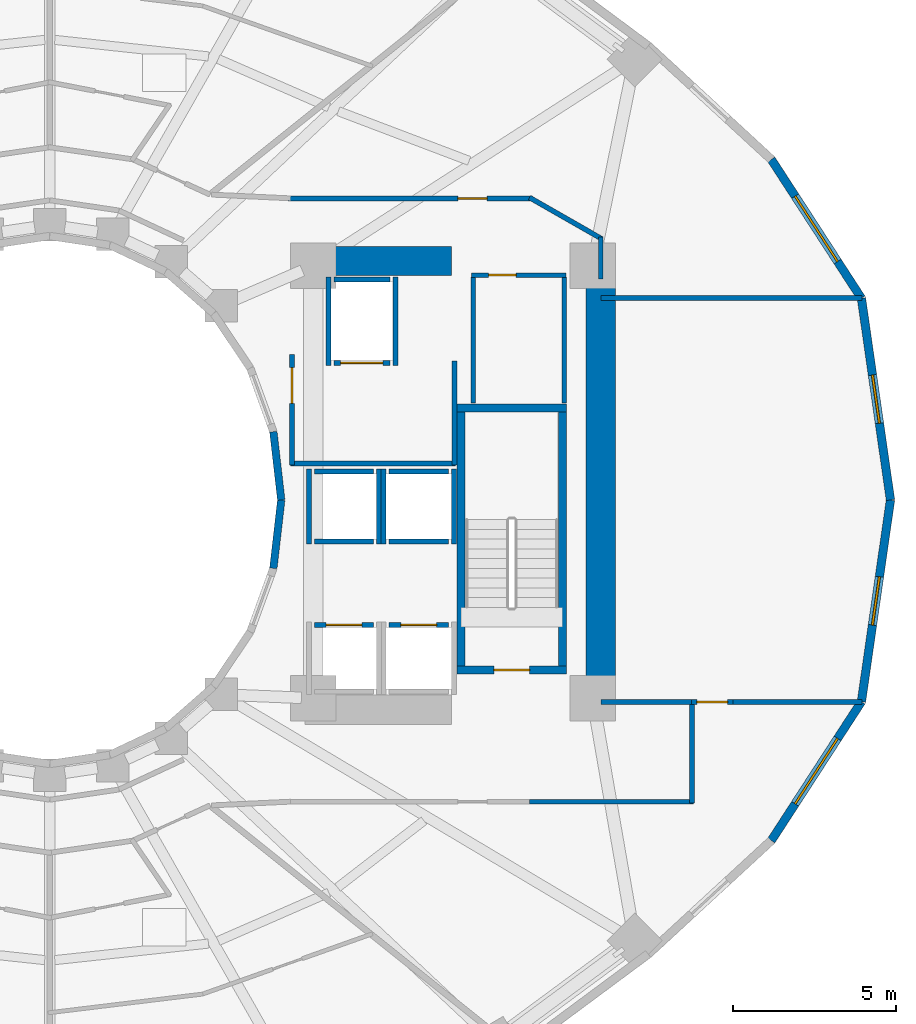
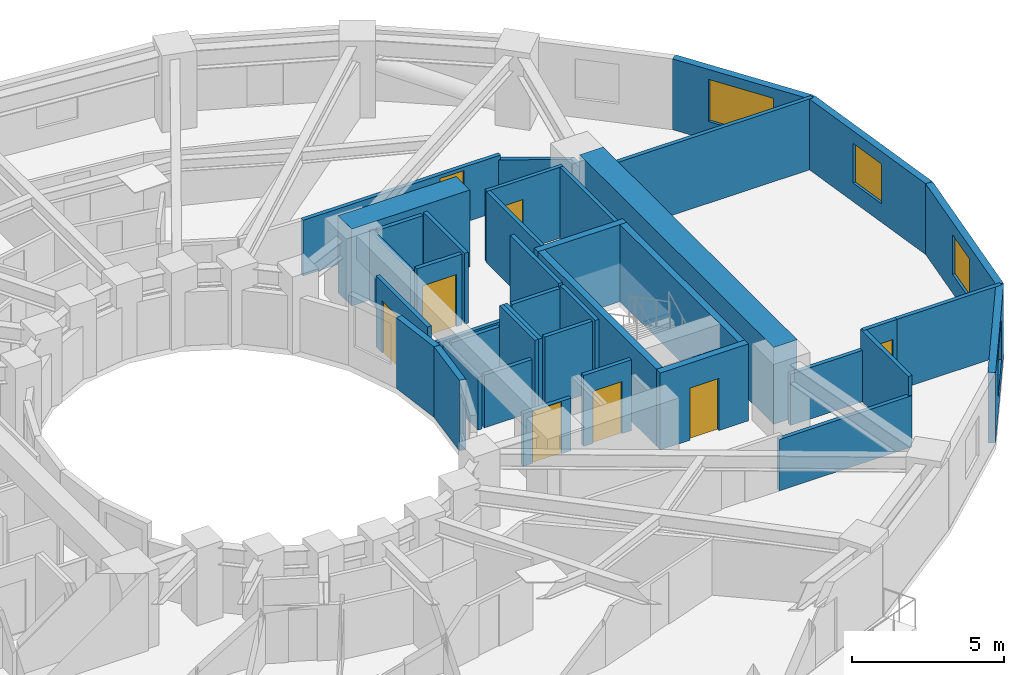
# One storey, part 6 of 10: 41 walls, 8 doors, 4 windows, 12 openings.
"""IFC4 building model written with IfcOpenShell, lengths in metres."""

from ifc_helpers import new_model, si_unit, direction, frame, frame_2d, origin, place, context, subcontext, project, spatial, rectangle, extrude, material, layer, layer_set, type_object, element, fill, save


model = new_model("IFC4")

# Units and contexts
model_context = context("Model", 3, precision=1e-05, world=origin(), true_north=direction((0.0, 1.0)))
body_context = subcontext(model_context, "Body", "Model", "MODEL_VIEW")
ifc_project = project(units=[si_unit("LENGTHUNIT", "METRE"), si_unit("AREAUNIT", "SQUARE_METRE"), si_unit("VOLUMEUNIT", "CUBIC_METRE"), si_unit("PLANEANGLEUNIT", "RADIAN"), si_unit("MASSUNIT", "GRAM", prefix="KILO")], contexts=[model_context])

# Site, building, storey
site_placement = place(None, origin())
site = spatial("IfcSite", under=ifc_project, at=site_placement, CompositionType="ELEMENT")
building_placement = place(site_placement, origin())
building = spatial("IfcBuilding", under=site, at=building_placement, Name="Solvane Sanctuary Tower", CompositionType="ELEMENT")
storey_placement = place(building_placement, frame((0.0, 0.0, 30.699951171875)))
storey = spatial("IfcBuildingStorey", under=building, at=storey_placement, Name="L08", CompositionType="ELEMENT", Elevation=30.699951171875)

# Walls
ifc_material_1 = material(Name="Concrete C70/85", Category="concrete")
ifc_layer_1 = layer(ifc_material_1, 0.89990234375, Name="Concrete C70/85")
ifc_layer_set_1 = layer_set([ifc_layer_1], Name="Concrete C70/85")
wall_type_1 = type_object("IfcWallType", Name="Wall W-CORE-900", PredefinedType="SHEAR", material=ifc_layer_set_1)
wall_1_placement = place(storey_placement, frame((48.949951171875, 17.050048828125, 0.0), z_axis=(0.0, 0.0, 1.0), x_axis=(0.0, 1.0, 0.0)))
element("IfcWall", 1, at=wall_1_placement, inside=storey, type_object=wall_type_1, Name="L08 Core Shear Wall EC-E", PredefinedType="SHEAR", context=body_context, shape_type="SweptSolid", body=[
    extrude(rectangle(XDim=12.800048828125, YDim=0.89990234375, at=frame_2d((6.39990234375, 0.0))), origin(), (0.0, 0.0, 1.0), 3.10009765625),
])
wall_2_placement = place(storey_placement, frame((39.85009765625, 30.35009765625, 0.0), z_axis=(0.0, 0.0, 1.0), x_axis=(1.0, 0.0, 0.0)))
element("IfcWall", 2, at=wall_2_placement, inside=storey, type_object=wall_type_1, Name="L08 Core Shear Wall EC-N", PredefinedType="SHEAR", context=body_context, shape_type="SweptSolid", body=[
    extrude(rectangle(XDim=4.5, YDim=0.89990234375, at=frame_2d((2.25, 0.0))), origin(), (0.0, 0.0, 1.0), 3.10009765625),
])
ifc_material_2 = material(Name="Acoustic Gypsum Partition Board")
ifc_layer_2 = layer(ifc_material_2, 0.14990234375, Name="Acoustic Gypsum Partition Board")
ifc_layer_set_2 = layer_set([ifc_layer_2], Name="Acoustic Gypsum Partition Board")
wall_type_2 = type_object("IfcWallType", Name="Wall W-CORR-150", PredefinedType="PARTITIONING", material=ifc_layer_set_2)
wall_3_placement = place(storey_placement, frame((39.39990234375, 24.1201171875, 0.0), z_axis=(0.0, 0.0, 1.0), x_axis=(1.0, 0.0, 0.0)))
element("IfcWall", 3, at=wall_3_placement, inside=storey, type_object=wall_type_2, Name="L08 East Firefighting Lobby South Wall", PredefinedType="PARTITIONING", context=body_context, shape_type="SweptSolid", body=[
    extrude(rectangle(XDim=5.080078125, YDim=0.14990234375, at=frame_2d((2.5400390625, 0.0))), origin(), (0.0, 0.0, 1.0), 2.1201171875),
])
wall_4_placement = place(storey_placement, frame((44.449951171875, 24.080078125, 0.0), z_axis=(0.0, 0.0, 1.0), x_axis=(0.0, 1.0, 0.0)))
element("IfcWall", 4, at=wall_4_placement, inside=storey, type_object=wall_type_2, Name="L08 East Firefighting Lobby East Wall", PredefinedType="PARTITIONING", context=body_context, shape_type="SweptSolid", body=[
    extrude(rectangle(XDim=3.199951171875, YDim=0.14990234375, at=frame_2d((1.60009765625, 0.0))), origin(), (0.0, 0.0, 1.0), 2.85498046875),
])

# Wall, opening, door
wall_5_placement = place(storey_placement, frame((39.449951171875, 24.080078125, 0.0), z_axis=(0.0, 0.0, 1.0), x_axis=(0.0, 1.0, 0.0)))
wall_5 = element("IfcWall", 5, at=wall_5_placement, inside=storey, type_object=wall_type_2, Name="L08 East Firefighting Lobby West Wall", PredefinedType="PARTITIONING", context=body_context, shape_type="SweptSolid", body=[
    extrude(rectangle(XDim=3.39990234375, YDim=0.14990234375, at=frame_2d((1.699951171875, 0.0))), origin(), (0.0, 0.0, 1.0), 2.85498046875),
])
opening_1_placement = place(wall_5_placement, frame((1.893798828125, 0.0, 0.0)))
opening_1 = element("IfcOpeningElement", 6, at=opening_1_placement, cuts=wall_5, Name="Opening D-L08-09", PredefinedType="OPENING", context=body_context, shape_type="SweptSolid", body=[
    extrude(rectangle(XDim=1.10009765625, YDim=2.10009765625, at=frame_2d((0.550048828125, 1.050048828125))), frame((0.0, 0.0849609375, 0.0), z_axis=(0.0, -1.0, 0.0), x_axis=(1.0, 0.0, 0.0)), (0.0, 0.0, 1.0), 0.169921875),
])
ifc_material_3 = material(Name="Architectural Stainless Steel 316", Category="steel")
door_type_1 = type_object("IfcDoorType", Name="Door D-FFL", OperationType="NOTDEFINED", PredefinedType="DOOR", material=ifc_material_3)
door_1_placement = place(opening_1_placement, origin())
door_1 = element("IfcDoor", 7, at=door_1_placement, inside=storey, type_object=door_type_1, Name="L08 East Firefighting Lobby Fire Door", OperationType="SINGLE_SWING_LEFT", OverallHeight=2.10009765625, OverallWidth=1.10009765625, PredefinedType="DOOR", context=body_context, shape_type="SweptSolid", body=[
    extrude(rectangle(XDim=1.10009765625, YDim=2.10009765625, at=frame_2d((0.550048828125, 1.050048828125))), frame((0.0, 0.02490234375, 0.0), z_axis=(0.0, -1.0, 0.0), x_axis=(1.0, 0.0, 0.0)), (0.0, 0.0, 1.0), 0.050048828125),
])
fill(opening_1, door_1)

# Wall
wall_6_placement = place(storey_placement, frame((48.949951171875, 16.788330078125, 0.0), z_axis=(0.0, 0.0, 1.0), x_axis=(1.0, 0.0, 0.0)))
element("IfcWall", 8, at=wall_6_placement, inside=storey, type_object=wall_type_2, Name="L08 East Shoulder South Wall", PredefinedType="PARTITIONING", context=body_context, shape_type="SweptSolid", body=[
    extrude(rectangle(XDim=2.79296875, YDim=0.14990234375, at=frame_2d((1.396484375, 0.0))), origin(), (0.0, 0.0, 1.0), 2.069091796875),
])

# Wall, opening, door
wall_7_placement = place(storey_placement, frame((51.742919921875, 16.788330078125, 0.0), z_axis=(0.0, 0.0, 1.0), x_axis=(1.0, 0.0, 0.0)))
wall_7 = element("IfcWall", 9, at=wall_7_placement, inside=storey, type_object=wall_type_2, Name="L08 East Shoulder South Wall", PredefinedType="PARTITIONING", context=body_context, shape_type="SweptSolid", body=[
    extrude(rectangle(XDim=1.27001953125, YDim=0.14990234375, at=frame_2d((0.635009765625, 0.0))), origin(), (0.0, 0.0, 1.0), 2.85498046875),
])
opening_2_placement = place(wall_7_placement, frame((0.159912109375, 0.0, 0.0)))
opening_2 = element("IfcOpeningElement", 10, at=opening_2_placement, cuts=wall_7, Name="Opening D-L08-12", PredefinedType="OPENING", context=body_context, shape_type="SweptSolid", body=[
    extrude(rectangle(XDim=0.949951171875, YDim=2.10009765625, at=frame_2d((0.47509765625, 1.050048828125))), frame((0.0, 0.0849609375, 0.0), z_axis=(0.0, -1.0, 0.0), x_axis=(1.0, 0.0, 0.0)), (0.0, 0.0, 1.0), 0.169921875),
])
ifc_material_4 = material(Name="Engineered Tropical Hardwood", Category="wood")
door_type_2 = type_object("IfcDoorType", Name="Door D-ROOM-950", OperationType="NOTDEFINED", PredefinedType="DOOR", material=ifc_material_4)
door_2_placement = place(opening_2_placement, origin())
door_2 = element("IfcDoor", 11, at=door_2_placement, inside=storey, type_object=door_type_2, Name="L08 East Shoulder South Door", OperationType="SINGLE_SWING_RIGHT", OverallHeight=2.10009765625, OverallWidth=0.949951171875, PredefinedType="DOOR", context=body_context, shape_type="SweptSolid", body=[
    extrude(rectangle(XDim=0.949951171875, YDim=2.10009765625, at=frame_2d((0.47509765625, 1.050048828125))), frame((0.0, 0.02490234375, 0.0), z_axis=(0.0, -1.0, 0.0), x_axis=(1.0, 0.0, 0.0)), (0.0, 0.0, 1.0), 0.050048828125),
])
fill(opening_2, door_2)

# Walls
wall_8_placement = place(storey_placement, frame((53.012939453125, 16.788330078125, 0.0), z_axis=(0.0, 0.0, 1.0), x_axis=(1.0, 0.0, 0.0)))
element("IfcWall", 12, at=wall_8_placement, inside=storey, type_object=wall_type_2, Name="L08 East Shoulder South Wall", PredefinedType="PARTITIONING", context=body_context, shape_type="SweptSolid", body=[
    extrude(rectangle(XDim=3.973388671875, YDim=0.14990234375, at=frame_2d((1.98681640625, 0.0))), origin(), (0.0, 0.0, 1.0), 2.85498046875),
])
wall_9_placement = place(storey_placement, frame((48.949951171875, 29.211669921875, 0.0), z_axis=(0.0, 0.0, 1.0), x_axis=(1.0, 0.0, 0.0)))
element("IfcWall", 13, at=wall_9_placement, inside=storey, type_object=wall_type_2, Name="L08 East Shoulder North Wall", PredefinedType="PARTITIONING", context=body_context, shape_type="SweptSolid", body=[
    extrude(rectangle(XDim=8.036376953125, YDim=0.14990234375, at=frame_2d((4.01806640625, 0.0))), origin(), (0.0, 0.0, 1.0), 2.85498046875),
])
wall_10_placement = place(storey_placement, frame((48.949951171875, 29.800048828125, 0.0), z_axis=(0.0, 0.0, 1.0), x_axis=(0.0, 1.0, 0.0)))
element("IfcWall", 14, at=wall_10_placement, inside=storey, type_object=wall_type_2, Name="L08 NE Corner Closer 1", PredefinedType="PARTITIONING", context=body_context, shape_type="SweptSolid", body=[
    extrude(rectangle(XDim=1.2900390625, YDim=0.14990234375, at=frame_2d((0.64501953125, 0.0))), origin(), (0.0, 0.0, 1.0), 2.069091796875),
])

# Wall, opening, door
wall_11_placement = place(storey_placement, frame((39.330078125, 32.280029296875, 0.0), z_axis=(0.0, 0.0, 1.0), x_axis=(1.0, 0.0, 0.0)))
wall_11 = element("IfcWall", 15, at=wall_11_placement, inside=storey, type_object=wall_type_2, Name="L08 NE Corner Corridor Wall", PredefinedType="PARTITIONING", context=body_context, shape_type="SweptSolid", body=[
    extrude(rectangle(XDim=7.52001953125, YDim=0.14990234375, at=frame_2d((3.760009765625, 0.0))), origin(), (0.0, 0.0, 1.0), 2.237060546875),
])
opening_3_placement = place(wall_11_placement, frame((5.219970703125, 0.0, 0.0)))
opening_3 = element("IfcOpeningElement", 16, at=opening_3_placement, cuts=wall_11, Name="Opening D-L08-14", PredefinedType="OPENING", context=body_context, shape_type="SweptSolid", body=[
    extrude(rectangle(XDim=0.89990234375, YDim=2.10009765625, at=frame_2d((0.449951171875, 1.050048828125))), frame((0.0, 0.0849609375, 0.0), z_axis=(0.0, -1.0, 0.0), x_axis=(1.0, 0.0, 0.0)), (0.0, 0.0, 1.0), 0.169921875),
])
door_type_3 = type_object("IfcDoorType", Name="Door D-WET-900", OperationType="NOTDEFINED", PredefinedType="DOOR", material=ifc_material_4)
door_3_placement = place(opening_3_placement, origin())
door_3 = element("IfcDoor", 17, at=door_3_placement, inside=storey, type_object=door_type_3, Name="L08 NE Corner Salon Door", OperationType="SINGLE_SWING_RIGHT", OverallHeight=2.10009765625, OverallWidth=0.89990234375, PredefinedType="DOOR", context=body_context, shape_type="SweptSolid", body=[
    extrude(rectangle(XDim=0.89990234375, YDim=2.10009765625, at=frame_2d((0.449951171875, 1.050048828125))), frame((0.0, 0.02490234375, 0.0), z_axis=(0.0, -1.0, 0.0), x_axis=(1.0, 0.0, 0.0)), (0.0, 0.0, 1.0), 0.050048828125),
])
fill(opening_3, door_3)

# Walls
wall_12_placement = place(storey_placement, frame((46.756591796875, 32.3046875, 0.0), z_axis=(0.0, 0.0, 1.0), x_axis=(0.867991349648, -0.496579315857, 0.0)))
element("IfcWall", 18, at=wall_12_placement, inside=storey, type_object=wall_type_2, Name="L08 NE Corner Wing Wall", PredefinedType="PARTITIONING", context=body_context, shape_type="SweptSolid", body=[
    extrude(rectangle(XDim=2.56689453125, YDim=0.14990234375, at=frame_2d((1.283447265625, 0.0))), origin(), (0.0, 0.0, 1.0), 2.069091796875),
])
wall_13_placement = place(storey_placement, frame((51.760009765625, 13.679931640625, 0.0), z_axis=(0.0, 0.0, 1.0), x_axis=(0.0, 1.0, 0.0)))
element("IfcWall", 19, at=wall_13_placement, inside=storey, type_object=wall_type_2, Name="L08 SE Corner Closer 1", PredefinedType="PARTITIONING", context=body_context, shape_type="SweptSolid", body=[
    extrude(rectangle(XDim=3.1484375, YDim=0.14990234375, at=frame_2d((1.57421875, 0.0))), origin(), (0.0, 0.0, 1.0), 2.85498046875),
])
wall_14_placement = place(storey_placement, frame((46.75, 13.719970703125, 0.0), z_axis=(0.0, 0.0, 1.0), x_axis=(1.0, 0.0, 0.0)))
element("IfcWall", 20, at=wall_14_placement, inside=storey, type_object=wall_type_2, Name="L08 SE Corner Wing Wall", PredefinedType="PARTITIONING", context=body_context, shape_type="SweptSolid", body=[
    extrude(rectangle(XDim=5.050048828125, YDim=0.14990234375, at=frame_2d((2.52490234375, 0.0))), origin(), (0.0, 0.0, 1.0), 2.069091796875),
])

# Wall, opening, window
ifc_material_5 = material(Name="Precast concrete C40/50", Category="concrete")
ifc_layer_3 = layer(ifc_material_5, 0.260009765625, Name="Precast concrete C40/50")
ifc_layer_set_3 = layer_set([ifc_layer_3], Name="Precast concrete C40/50")
wall_type_3 = type_object("IfcWallType", Name="Wall W-EXT-250", PredefinedType="STANDARD", material=ifc_layer_set_3)
wall_15_placement = place(storey_placement, frame((57.860107421875, 23.0, 0.0), z_axis=(0.0, 0.0, 1.0), x_axis=(-0.142528001686, 0.989790770181, 0.0)))
wall_15 = element("IfcWall", 21, at=wall_15_placement, inside=storey, type_object=wall_type_3, Name="L08 Ceramic-Printed Facade Wall 00", PredefinedType="STANDARD", context=body_context, shape_type="SweptSolid", body=[
    extrude(rectangle(XDim=6.269287109375, YDim=0.260009765625, at=frame_2d((3.134765625, 0.0))), origin(), (0.0, 0.0, 1.0), 2.85009765625),
])
opening_4_placement = place(wall_15_placement, frame((2.384521484375, 0.0, 0.75)))
opening_4 = element("IfcOpeningElement", 22, at=opening_4_placement, cuts=wall_15, Name="Opening WN-OPER-1500", PredefinedType="OPENING", context=body_context, shape_type="SweptSolid", body=[
    extrude(rectangle(XDim=1.5, YDim=1.60009765625, at=frame_2d((0.75, 0.800048828125))), frame((0.0, 0.139892578125, 0.0), z_axis=(0.0, -1.0, 0.0), x_axis=(1.0, 0.0, 0.0)), (0.0, 0.0, 1.0), 0.280029296875),
])
ifc_material_6 = material(Name="Dark Ceramic-Fritted Low-E Glass", Category="glass")
window_type_1 = type_object("IfcWindowType", Name="Window WN-OPER-1500", PartitioningType="SINGLE_PANEL", PredefinedType="WINDOW", material=ifc_material_6)
window_1_placement = place(opening_4_placement, origin())
window_1 = element("IfcWindow", 23, at=window_1_placement, inside=storey, type_object=window_type_1, Name="L08 Operable Facade Window 00", OverallHeight=1.60009765625, OverallWidth=1.5, PartitioningType="SINGLE_PANEL", PredefinedType="WINDOW", context=body_context, shape_type="SweptSolid", body=[
    extrude(rectangle(XDim=1.5, YDim=1.60009765625, at=frame_2d((0.75, 0.800048828125))), frame((0.0, 0.030029296875, 0.0), z_axis=(0.0, -1.0, 0.0), x_axis=(1.0, 0.0, 0.0)), (0.0, 0.0, 1.0), 0.06005859375),
])
fill(opening_4, window_1)

wall_16_placement = place(storey_placement, frame((56.966552734375, 29.205322265625, 0.0), z_axis=(0.0, 0.0, 1.0), x_axis=(-0.544578722263, 0.838709732421, 0.0)))
wall_16 = element("IfcWall", 24, at=wall_16_placement, inside=storey, type_object=wall_type_3, Name="L08 Ceramic-Printed Facade Wall 01", PredefinedType="STANDARD", context=body_context, shape_type="SweptSolid", body=[
    extrude(rectangle(XDim=5.091552734375, YDim=0.260009765625, at=frame_2d((2.5458984375, 0.0))), origin(), (0.0, 0.0, 1.0), 2.85009765625),
])
opening_5_placement = place(wall_16_placement, frame((1.345703125, 0.0, 0.75)))
opening_5 = element("IfcOpeningElement", 25, at=opening_5_placement, cuts=wall_16, Name="Opening WN-RIB-2400", PredefinedType="OPENING", context=body_context, shape_type="SweptSolid", body=[
    extrude(rectangle(XDim=2.39990234375, YDim=1.699951171875, at=frame_2d((1.199951171875, 0.85009765625))), frame((0.0, 0.139892578125, 0.0), z_axis=(0.0, -1.0, 0.0), x_axis=(1.0, 0.0, 0.0)), (0.0, 0.0, 1.0), 0.280029296875),
])
window_type_2 = type_object("IfcWindowType", Name="Window WN-RIB-2400", PartitioningType="SINGLE_PANEL", PredefinedType="WINDOW", material=ifc_material_6)
window_2_placement = place(opening_5_placement, origin())
window_2 = element("IfcWindow", 26, at=window_2_placement, inside=storey, type_object=window_type_2, Name="L08 Operable Facade Window 01", OverallHeight=1.699951171875, OverallWidth=2.39990234375, PartitioningType="SINGLE_PANEL", PredefinedType="WINDOW", context=body_context, shape_type="SweptSolid", body=[
    extrude(rectangle(XDim=2.39990234375, YDim=1.699951171875, at=frame_2d((1.199951171875, 0.85009765625))), frame((0.0, 0.030029296875, 0.0), z_axis=(0.0, -1.0, 0.0), x_axis=(1.0, 0.0, 0.0)), (0.0, 0.0, 1.0), 0.06005859375),
])
fill(opening_5, window_2)

wall_17_placement = place(storey_placement, frame((54.19384765625, 12.5244140625, 0.0), z_axis=(0.0, 0.0, 1.0), x_axis=(0.544578722263, 0.838709732421, 0.0)))
wall_17 = element("IfcWall", 27, at=wall_17_placement, inside=storey, type_object=wall_type_3, Name="L08 Ceramic-Printed Facade Wall 22", PredefinedType="STANDARD", context=body_context, shape_type="SweptSolid", body=[
    extrude(rectangle(XDim=5.091552734375, YDim=0.260009765625, at=frame_2d((2.5458984375, 0.0))), origin(), (0.0, 0.0, 1.0), 2.85009765625),
])
opening_6_placement = place(wall_17_placement, frame((1.345703125, 0.0, 0.75)))
opening_6 = element("IfcOpeningElement", 28, at=opening_6_placement, cuts=wall_17, Name="Opening WN-RIB-2400", PredefinedType="OPENING", context=body_context, shape_type="SweptSolid", body=[
    extrude(rectangle(XDim=2.39990234375, YDim=1.699951171875, at=frame_2d((1.199951171875, 0.85009765625))), frame((0.0, 0.139892578125, 0.0), z_axis=(0.0, -1.0, 0.0), x_axis=(1.0, 0.0, 0.0)), (0.0, 0.0, 1.0), 0.280029296875),
])
window_3_placement = place(opening_6_placement, origin())
window_3 = element("IfcWindow", 29, at=window_3_placement, inside=storey, type_object=window_type_2, Name="L08 Operable Facade Window 22", OverallHeight=1.699951171875, OverallWidth=2.39990234375, PartitioningType="SINGLE_PANEL", PredefinedType="WINDOW", context=body_context, shape_type="SweptSolid", body=[
    extrude(rectangle(XDim=2.39990234375, YDim=1.699951171875, at=frame_2d((1.199951171875, 0.85009765625))), frame((0.0, 0.030029296875, 0.0), z_axis=(0.0, -1.0, 0.0), x_axis=(1.0, 0.0, 0.0)), (0.0, 0.0, 1.0), 0.06005859375),
])
fill(opening_6, window_3)

wall_18_placement = place(storey_placement, frame((56.966552734375, 16.794677734375, 0.0), z_axis=(0.0, 0.0, 1.0), x_axis=(0.142528001686, 0.989790770181, 0.0)))
wall_18 = element("IfcWall", 30, at=wall_18_placement, inside=storey, type_object=wall_type_3, Name="L08 Ceramic-Printed Facade Wall 23", PredefinedType="STANDARD", context=body_context, shape_type="SweptSolid", body=[
    extrude(rectangle(XDim=6.269287109375, YDim=0.260009765625, at=frame_2d((3.134765625, 0.0))), origin(), (0.0, 0.0, 1.0), 2.85009765625),
])
opening_7_placement = place(wall_18_placement, frame((2.384521484375, 0.0, 0.75)))
opening_7 = element("IfcOpeningElement", 31, at=opening_7_placement, cuts=wall_18, Name="Opening WN-OPER-1500", PredefinedType="OPENING", context=body_context, shape_type="SweptSolid", body=[
    extrude(rectangle(XDim=1.5, YDim=1.60009765625, at=frame_2d((0.75, 0.800048828125))), frame((0.0, 0.139892578125, 0.0), z_axis=(0.0, -1.0, 0.0), x_axis=(1.0, 0.0, 0.0)), (0.0, 0.0, 1.0), 0.280029296875),
])
window_4_placement = place(opening_7_placement, origin())
window_4 = element("IfcWindow", 32, at=window_4_placement, inside=storey, type_object=window_type_1, Name="L08 Operable Facade Window 23", OverallHeight=1.60009765625, OverallWidth=1.5, PartitioningType="SINGLE_PANEL", PredefinedType="WINDOW", context=body_context, shape_type="SweptSolid", body=[
    extrude(rectangle(XDim=1.5, YDim=1.60009765625, at=frame_2d((0.75, 0.800048828125))), frame((0.0, 0.030029296875, 0.0), z_axis=(0.0, -1.0, 0.0), x_axis=(1.0, 0.0, 0.0)), (0.0, 0.0, 1.0), 0.06005859375),
])
fill(opening_7, window_4)

# Walls
ifc_layer_4 = layer(ifc_material_5, 0.22998046875, Name="Precast concrete C40/50")
ifc_layer_set_4 = layer_set([ifc_layer_4], Name="Precast concrete C40/50")
wall_type_4 = type_object("IfcWallType", Name="Wall W-EXT-SP220", PredefinedType="STANDARD", material=ifc_layer_set_4)
for number, where, z_axis, x_axis, name in (
    (33, (39.1201171875, 23.0, 0.0), (0.0, 0.0, 1.0), (-0.114711713601, 0.993398823617, 0.0), "L08 Central Light-Well Wall 00"),
    (34, (38.87744140625, 20.8984375, 0.0), (0.0, 0.0, 1.0), (0.114711713601, 0.993398823617, 0.0), "L08 Central Light-Well Wall 23"),
):
    element("IfcWall", number, at=place(storey_placement, frame(where, z_axis=z_axis, x_axis=x_axis)), inside=storey, type_object=wall_type_4, Name=name, PredefinedType="STANDARD", context=body_context, shape_type="SweptSolid", body=[
        extrude(rectangle(XDim=2.115478515625, YDim=0.22998046875, at=frame_2d((1.0576171875, 0.0))), origin(), (0.0, 0.0, 1.0), 2.840087890625),
    ])

# Wall, opening, door
ifc_material_7 = material(Name="Concrete C50/60", Category="concrete")
ifc_layer_5 = layer(ifc_material_7, 0.14990234375, Name="Concrete C50/60")
ifc_layer_set_5 = layer_set([ifc_layer_5], Name="Concrete C50/60")
wall_type_5 = type_object("IfcWallType", Name="Wall W-SHAFT-150", PredefinedType="SOLIDWALL", material=ifc_layer_set_5)
wall_19_placement = place(storey_placement, frame((40.139892578125, 19.159912109375, 0.0), z_axis=(0.0, 0.0, 1.0), x_axis=(1.0, 0.0, 0.0)))
wall_19 = element("IfcWall", 35, at=wall_19_placement, inside=storey, type_object=wall_type_5, Name="L08 PL-3 Lift Shaft Wall F", PredefinedType="SOLIDWALL", context=body_context, shape_type="SweptSolid", body=[
    extrude(rectangle(XDim=1.820068359375, YDim=0.14990234375, at=frame_2d((0.91015625, 0.0))), origin(), (0.0, 0.0, 1.0), 2.1201171875),
])
opening_8_placement = place(wall_19_placement, frame((0.360107421875, 0.0, 0.0)))
opening_8 = element("IfcOpeningElement", 36, at=opening_8_placement, cuts=wall_19, Name="Opening LD-L08-03", PredefinedType="OPENING", context=body_context, shape_type="SweptSolid", body=[
    extrude(rectangle(XDim=1.10009765625, YDim=2.10009765625, at=frame_2d((0.550048828125, 1.050048828125))), frame((0.0, 0.0849609375, 0.0), z_axis=(0.0, -1.0, 0.0), x_axis=(1.0, 0.0, 0.0)), (0.0, 0.0, 1.0), 0.169921875),
])
door_type_4 = type_object("IfcDoorType", Name="Door LD-PASS-1100", OperationType="NOTDEFINED", PredefinedType="DOOR", material=ifc_material_3)
door_4_placement = place(opening_8_placement, origin())
door_4 = element("IfcDoor", 37, at=door_4_placement, inside=storey, type_object=door_type_4, Name="L08 PL-3 Lift Landing Door", OperationType="DOUBLE_DOOR_SLIDING", OverallHeight=2.10009765625, OverallWidth=1.10009765625, PredefinedType="DOOR", context=body_context, shape_type="SweptSolid", body=[
    extrude(rectangle(XDim=1.10009765625, YDim=2.10009765625, at=frame_2d((0.550048828125, 1.050048828125))), frame((0.0, 0.02490234375, 0.0), z_axis=(0.0, -1.0, 0.0), x_axis=(1.0, 0.0, 0.0)), (0.0, 0.0, 1.0), 0.050048828125),
])
fill(opening_8, door_4)

wall_20_placement = place(storey_placement, frame((42.43994140625, 19.159912109375, 0.0), z_axis=(0.0, 0.0, 1.0), x_axis=(1.0, 0.0, 0.0)))
wall_20 = element("IfcWall", 38, at=wall_20_placement, inside=storey, type_object=wall_type_5, Name="L08 PL-4 Lift Shaft Wall F", PredefinedType="SOLIDWALL", context=body_context, shape_type="SweptSolid", body=[
    extrude(rectangle(XDim=1.820068359375, YDim=0.14990234375, at=frame_2d((0.91015625, 0.0))), origin(), (0.0, 0.0, 1.0), 2.85498046875),
])
opening_9_placement = place(wall_20_placement, frame((0.360107421875, 0.0, 0.0)))
opening_9 = element("IfcOpeningElement", 39, at=opening_9_placement, cuts=wall_20, Name="Opening LD-L08-04", PredefinedType="OPENING", context=body_context, shape_type="SweptSolid", body=[
    extrude(rectangle(XDim=1.10009765625, YDim=2.10009765625, at=frame_2d((0.550048828125, 1.050048828125))), frame((0.0, 0.0849609375, 0.0), z_axis=(0.0, -1.0, 0.0), x_axis=(1.0, 0.0, 0.0)), (0.0, 0.0, 1.0), 0.169921875),
])
door_5_placement = place(opening_9_placement, origin())
door_5 = element("IfcDoor", 40, at=door_5_placement, inside=storey, type_object=door_type_4, Name="L08 PL-4 Lift Landing Door", OperationType="DOUBLE_DOOR_SLIDING", OverallHeight=2.10009765625, OverallWidth=1.10009765625, PredefinedType="DOOR", context=body_context, shape_type="SweptSolid", body=[
    extrude(rectangle(XDim=1.10009765625, YDim=2.10009765625, at=frame_2d((0.550048828125, 1.050048828125))), frame((0.0, 0.02490234375, 0.0), z_axis=(0.0, -1.0, 0.0), x_axis=(1.0, 0.0, 0.0)), (0.0, 0.0, 1.0), 0.050048828125),
])
fill(opening_9, door_5)

# Walls
for number, where, z_axis, x_axis, name in (
    (41, (42.43994140625, 21.719970703125, 0.0), (0.0, 0.0, 1.0), (1.0, 0.0, 0.0), "L08 PM-2 Lift Shaft Wall F"),
    (42, (42.43994140625, 23.8798828125, 0.0), (0.0, 0.0, 1.0), (1.0, 0.0, 0.0), "L08 PM-2 Lift Shaft Wall B"),
):
    element("IfcWall", number, at=place(storey_placement, frame(where, z_axis=z_axis, x_axis=x_axis)), inside=storey, type_object=wall_type_5, Name=name, PredefinedType="SOLIDWALL", context=body_context, shape_type="SweptSolid", body=[
        extrude(rectangle(XDim=1.820068359375, YDim=0.14990234375, at=frame_2d((0.91015625, 0.0))), origin(), (0.0, 0.0, 1.0), 2.85498046875),
    ])
for number, where, z_axis, x_axis, name in (
    (43, (42.27001953125, 21.639892578125, 0.0), (0.0, 0.0, 1.0), (0.0, 1.0, 0.0), "L08 PM-2 Lift Shaft Wall S1"),
    (44, (44.429931640625, 21.639892578125, 0.0), (0.0, 0.0, 1.0), (0.0, 1.0, 0.0), "L08 PM-2 Lift Shaft Wall S2"),
):
    element("IfcWall", number, at=place(storey_placement, frame(where, z_axis=z_axis, x_axis=x_axis)), inside=storey, type_object=wall_type_5, Name=name, PredefinedType="SOLIDWALL", context=body_context, shape_type="SweptSolid", body=[
        extrude(rectangle(XDim=2.320068359375, YDim=0.14990234375, at=frame_2d((1.16015625, 0.0))), origin(), (0.0, 0.0, 1.0), 2.85498046875),
    ])
for number, where, z_axis, x_axis, name in (
    (45, (40.139892578125, 21.719970703125, 0.0), (0.0, 0.0, 1.0), (1.0, 0.0, 0.0), "L08 PH-2 Lift Shaft Wall F"),
    (46, (40.139892578125, 23.8798828125, 0.0), (0.0, 0.0, 1.0), (1.0, 0.0, 0.0), "L08 PH-2 Lift Shaft Wall B"),
):
    element("IfcWall", number, at=place(storey_placement, frame(where, z_axis=z_axis, x_axis=x_axis)), inside=storey, type_object=wall_type_5, Name=name, PredefinedType="SOLIDWALL", context=body_context, shape_type="SweptSolid", body=[
        extrude(rectangle(XDim=1.820068359375, YDim=0.14990234375, at=frame_2d((0.91015625, 0.0))), origin(), (0.0, 0.0, 1.0), 2.1201171875),
    ])
wall_21_placement = place(storey_placement, frame((39.969970703125, 21.639892578125, 0.0), z_axis=(0.0, 0.0, 1.0), x_axis=(0.0, 1.0, 0.0)))
element("IfcWall", 47, at=wall_21_placement, inside=storey, type_object=wall_type_5, Name="L08 PH-2 Lift Shaft Wall S1", PredefinedType="SOLIDWALL", context=body_context, shape_type="SweptSolid", body=[
    extrude(rectangle(XDim=2.320068359375, YDim=0.14990234375, at=frame_2d((1.16015625, 0.0))), origin(), (0.0, 0.0, 1.0), 2.1201171875),
])
wall_22_placement = place(storey_placement, frame((42.1298828125, 21.639892578125, 0.0), z_axis=(0.0, 0.0, 1.0), x_axis=(0.0, 1.0, 0.0)))
element("IfcWall", 48, at=wall_22_placement, inside=storey, type_object=wall_type_5, Name="L08 PH-2 Lift Shaft Wall S2", PredefinedType="SOLIDWALL", context=body_context, shape_type="SweptSolid", body=[
    extrude(rectangle(XDim=2.320068359375, YDim=0.14990234375, at=frame_2d((1.16015625, 0.0))), origin(), (0.0, 0.0, 1.0), 2.85498046875),
])

# Wall, opening, door
wall_23_placement = place(storey_placement, frame((40.739990234375, 27.219970703125, 0.0), z_axis=(0.0, 0.0, 1.0), x_axis=(1.0, 0.0, 0.0)))
wall_23 = element("IfcWall", 49, at=wall_23_placement, inside=storey, type_object=wall_type_5, Name="L08 FFL-2 Lift Shaft Wall F", PredefinedType="SOLIDWALL", context=body_context, shape_type="SweptSolid", body=[
    extrude(rectangle(XDim=1.719970703125, YDim=0.14990234375, at=frame_2d((0.85986328125, 0.0))), origin(), (0.0, 0.0, 1.0), 2.85498046875),
])
opening_10_placement = place(wall_23_placement, frame((0.2099609375, 0.0, 0.0)))
opening_10 = element("IfcOpeningElement", 50, at=opening_10_placement, cuts=wall_23, Name="Opening LD-L08-07", PredefinedType="OPENING", context=body_context, shape_type="SweptSolid", body=[
    extrude(rectangle(XDim=1.300048828125, YDim=2.10009765625, at=frame_2d((0.64990234375, 1.050048828125))), frame((0.0, 0.0849609375, 0.0), z_axis=(0.0, -1.0, 0.0), x_axis=(1.0, 0.0, 0.0)), (0.0, 0.0, 1.0), 0.169921875),
])
door_type_5 = type_object("IfcDoorType", Name="Door LD-FFL-1300", OperationType="NOTDEFINED", PredefinedType="DOOR", material=ifc_material_3)
door_6_placement = place(opening_10_placement, origin())
door_6 = element("IfcDoor", 51, at=door_6_placement, inside=storey, type_object=door_type_5, Name="L08 FFL-2 Lift Landing Door", OperationType="DOUBLE_DOOR_SLIDING", OverallHeight=2.10009765625, OverallWidth=1.300048828125, PredefinedType="DOOR", context=body_context, shape_type="SweptSolid", body=[
    extrude(rectangle(XDim=1.300048828125, YDim=2.10009765625, at=frame_2d((0.64990234375, 1.050048828125))), frame((0.0, 0.02490234375, 0.0), z_axis=(0.0, -1.0, 0.0), x_axis=(1.0, 0.0, 0.0)), (0.0, 0.0, 1.0), 0.050048828125),
])
fill(opening_10, door_6)

# Walls
wall_24_placement = place(storey_placement, frame((40.739990234375, 29.780029296875, 0.0), z_axis=(0.0, 0.0, 1.0), x_axis=(1.0, 0.0, 0.0)))
element("IfcWall", 52, at=wall_24_placement, inside=storey, type_object=wall_type_5, Name="L08 FFL-2 Lift Shaft Wall B", PredefinedType="SOLIDWALL", context=body_context, shape_type="SweptSolid", body=[
    extrude(rectangle(XDim=1.719970703125, YDim=0.14990234375, at=frame_2d((0.85986328125, 0.0))), origin(), (0.0, 0.0, 1.0), 2.85498046875),
])
for number, where, z_axis, x_axis, name in (
    (53, (40.570068359375, 27.139892578125, 0.0), (0.0, 0.0, 1.0), (0.0, 1.0, 0.0), "L08 FFL-2 Lift Shaft Wall S1"),
    (54, (42.6298828125, 27.139892578125, 0.0), (0.0, 0.0, 1.0), (0.0, 1.0, 0.0), "L08 FFL-2 Lift Shaft Wall S2"),
):
    element("IfcWall", number, at=place(storey_placement, frame(where, z_axis=z_axis, x_axis=x_axis)), inside=storey, type_object=wall_type_5, Name=name, PredefinedType="SOLIDWALL", context=body_context, shape_type="SweptSolid", body=[
        extrude(rectangle(XDim=2.72021484375, YDim=0.14990234375, at=frame_2d((1.360107421875, 0.0))), origin(), (0.0, 0.0, 1.0), 2.85498046875),
    ])

# Wall, opening, door
ifc_layer_6 = layer(ifc_material_7, 0.25, Name="Concrete C50/60")
ifc_layer_set_6 = layer_set([ifc_layer_6], Name="Concrete C50/60")
wall_type_6 = type_object("IfcWallType", Name="Wall W-SHAFT-250", PredefinedType="SOLIDWALL", material=ifc_layer_set_6)
wall_25_placement = place(storey_placement, frame((44.52490234375, 17.77001953125, 0.0), z_axis=(0.0, 0.0, 1.0), x_axis=(1.0, 0.0, 0.0)))
wall_25 = element("IfcWall", 55, at=wall_25_placement, inside=storey, type_object=wall_type_6, Name="L08 ST-2 Load-Bearing Shaft Wall S", PredefinedType="SOLIDWALL", context=body_context, shape_type="SweptSolid", body=[
    extrude(rectangle(XDim=3.3701171875, YDim=0.25, at=frame_2d((1.68505859375, 0.0))), origin(), (0.0, 0.0, 1.0), 3.10009765625),
])
opening_11_placement = place(wall_25_placement, frame((1.135009765625, 0.0, 0.0)))
opening_11 = element("IfcOpeningElement", 56, at=opening_11_placement, cuts=wall_25, Name="Opening D-L08-06", PredefinedType="OPENING", context=body_context, shape_type="SweptSolid", body=[
    extrude(rectangle(XDim=1.10009765625, YDim=2.10009765625, at=frame_2d((0.550048828125, 1.050048828125))), frame((0.0, 0.135009765625, 0.0), z_axis=(0.0, -1.0, 0.0), x_axis=(1.0, 0.0, 0.0)), (0.0, 0.0, 1.0), 0.27001953125),
])
door_type_6 = type_object("IfcDoorType", Name="Door D-STAIR", OperationType="NOTDEFINED", PredefinedType="DOOR", material=ifc_material_3)
door_7_placement = place(opening_11_placement, origin())
door_7 = element("IfcDoor", 57, at=door_7_placement, inside=storey, type_object=door_type_6, Name="L08 ST-2 Exit Stair Fire Door", OperationType="SINGLE_SWING_LEFT", OverallHeight=2.10009765625, OverallWidth=1.10009765625, PredefinedType="DOOR", context=body_context, shape_type="SweptSolid", body=[
    extrude(rectangle(XDim=1.10009765625, YDim=2.10009765625, at=frame_2d((0.550048828125, 1.050048828125))), frame((0.0, 0.02490234375, 0.0), z_axis=(0.0, -1.0, 0.0), x_axis=(1.0, 0.0, 0.0)), (0.0, 0.0, 1.0), 0.050048828125),
])
fill(opening_11, door_7)

# Walls
wall_26_placement = place(storey_placement, frame((44.52490234375, 25.830078125, 0.0), z_axis=(0.0, 0.0, 1.0), x_axis=(1.0, 0.0, 0.0)))
element("IfcWall", 58, at=wall_26_placement, inside=storey, type_object=wall_type_6, Name="L08 ST-2 Load-Bearing Shaft Wall N", PredefinedType="SOLIDWALL", context=body_context, shape_type="SweptSolid", body=[
    extrude(rectangle(XDim=3.3701171875, YDim=0.25, at=frame_2d((1.68505859375, 0.0))), origin(), (0.0, 0.0, 1.0), 3.10009765625),
])
for number, where, z_axis, x_axis, name in (
    (59, (44.64990234375, 17.89501953125, 0.0), (0.0, 0.0, 1.0), (0.0, 1.0, 0.0), "L08 ST-2 Load-Bearing Shaft Wall W"),
    (60, (47.77001953125, 17.89501953125, 0.0), (0.0, 0.0, 1.0), (0.0, 1.0, 0.0), "L08 ST-2 Load-Bearing Shaft Wall E"),
):
    element("IfcWall", number, at=place(storey_placement, frame(where, z_axis=z_axis, x_axis=x_axis)), inside=storey, type_object=wall_type_6, Name=name, PredefinedType="SOLIDWALL", context=body_context, shape_type="SweptSolid", body=[
        extrude(rectangle(XDim=7.81005859375, YDim=0.25, at=frame_2d((3.905029296875, 0.0))), origin(), (0.0, 0.0, 1.0), 3.10009765625),
    ])

# Wall, opening, door
ifc_layer_7 = layer(ifc_material_2, 0.139892578125, Name="Acoustic Gypsum Partition Board")
ifc_layer_set_7 = layer_set([ifc_layer_7], Name="Acoustic Gypsum Partition Board")
wall_type_7 = type_object("IfcWallType", Name="Wall W-WET-140", PredefinedType="PLUMBINGWALL", material=ifc_layer_set_7)
wall_27_placement = place(storey_placement, frame((44.97998046875, 29.919921875, 0.0), z_axis=(0.0, 0.0, 1.0), x_axis=(1.0, 0.0, 0.0)))
wall_27 = element("IfcWall", 61, at=wall_27_placement, inside=storey, type_object=wall_type_7, Name="L08 Core Service Front Wall KE0", PredefinedType="PLUMBINGWALL", context=body_context, shape_type="SweptSolid", body=[
    extrude(rectangle(XDim=2.89990234375, YDim=0.139892578125, at=frame_2d((1.449951171875, 0.0))), origin(), (0.0, 0.0, 1.0), 2.85498046875),
])
opening_12_placement = place(wall_27_placement, frame((0.515869140625, 0.0, 0.0)))
opening_12 = element("IfcOpeningElement", 62, at=opening_12_placement, cuts=wall_27, Name="Opening D-L08-11", PredefinedType="OPENING", context=body_context, shape_type="SweptSolid", body=[
    extrude(rectangle(XDim=0.85009765625, YDim=2.050048828125, at=frame_2d((0.425048828125, 1.02490234375))), frame((0.0, 0.079833984375, 0.0), z_axis=(0.0, -1.0, 0.0), x_axis=(1.0, 0.0, 0.0)), (0.0, 0.0, 1.0), 0.159912109375),
])
door_type_7 = type_object("IfcDoorType", Name="Door D-RISER", OperationType="NOTDEFINED", PredefinedType="DOOR", material=ifc_material_3)
door_8_placement = place(opening_12_placement, origin())
door_8 = element("IfcDoor", 63, at=door_8_placement, inside=storey, type_object=door_type_7, Name="L08 Core Service Room Door KE0-1", OperationType="SINGLE_SWING_LEFT", OverallHeight=2.050048828125, OverallWidth=0.85009765625, PredefinedType="DOOR", context=body_context, shape_type="SweptSolid", body=[
    extrude(rectangle(XDim=0.85009765625, YDim=2.050048828125, at=frame_2d((0.425048828125, 1.02490234375))), frame((0.0, 0.02490234375, 0.0), z_axis=(0.0, -1.0, 0.0), x_axis=(1.0, 0.0, 0.0)), (0.0, 0.0, 1.0), 0.050048828125),
])
fill(opening_12, door_8)

# Walls
for number, where, z_axis, x_axis, name in (
    (64, (45.02001953125, 25.97998046875, 0.0), (0.0, 0.0, 1.0), (0.0, 1.0, 0.0), "L08 Core Service Side Wall KE0-1"),
    (65, (47.820068359375, 25.97998046875, 0.0), (0.0, 0.0, 1.0), (0.0, 1.0, 0.0), "L08 Core Service Side Wall KE0-2"),
):
    element("IfcWall", number, at=place(storey_placement, frame(where, z_axis=z_axis, x_axis=x_axis)), inside=storey, type_object=wall_type_7, Name=name, PredefinedType="PLUMBINGWALL", context=body_context, shape_type="SweptSolid", body=[
        extrude(rectangle(XDim=3.880126953125, YDim=0.139892578125, at=frame_2d((1.93994140625, 0.0))), origin(), (0.0, 0.0, 1.0), 2.85498046875),
    ])

save(model, "model.ifc")
